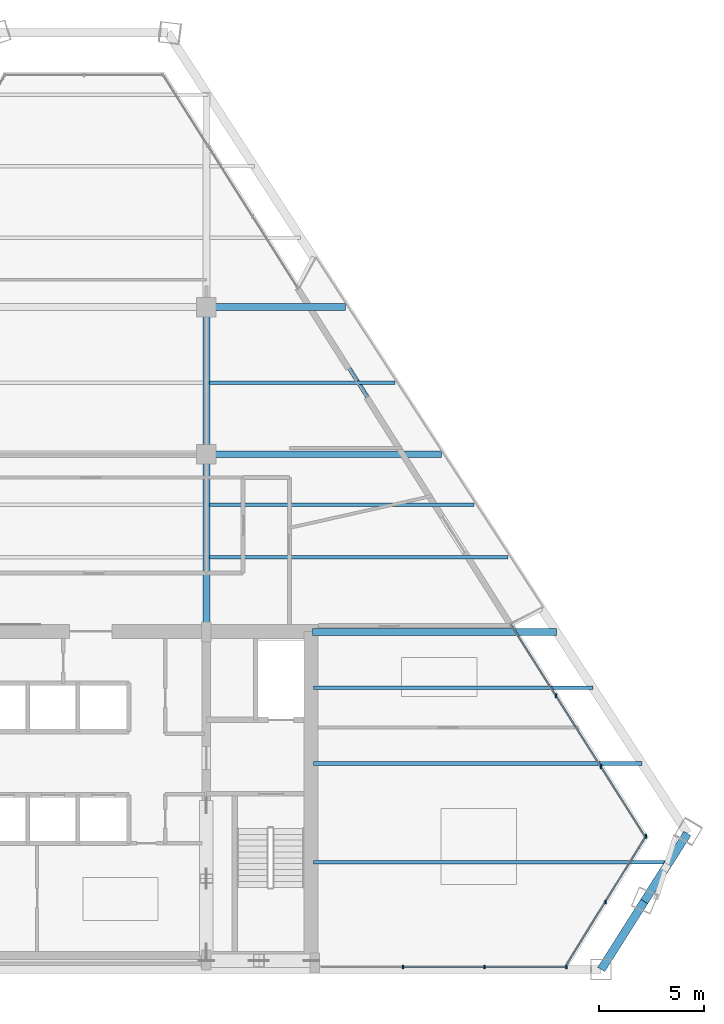
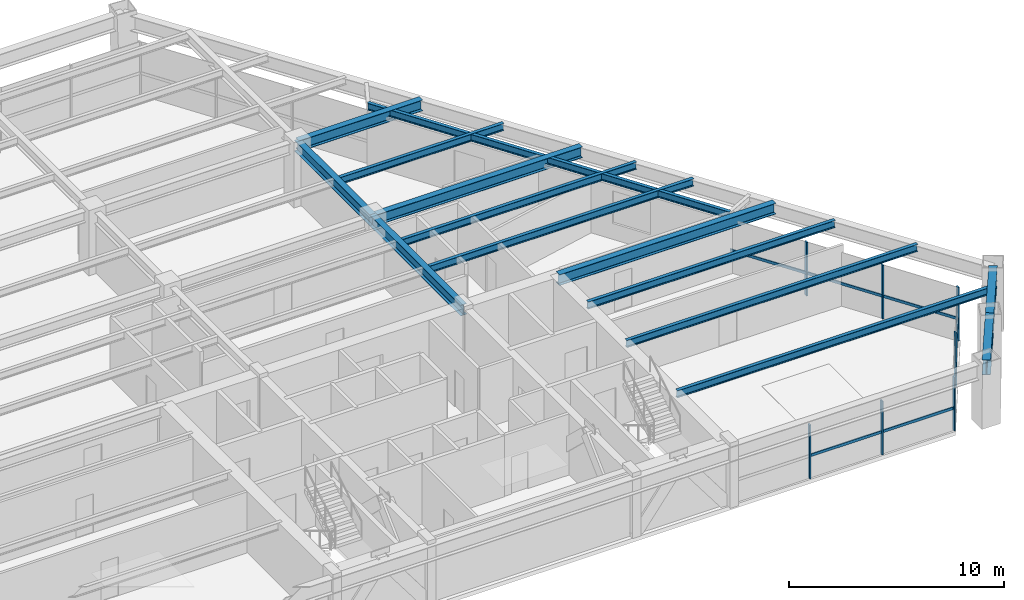
# One storey, part 6 of 15: 14 beams, 14 members, 3 elements without a shape of their own.
"""IFC4 building model written with IfcOpenShell, lengths in metres."""

from ifc_helpers import new_model, si_unit, direction, frame, origin, origin_2d, place, context, subcontext, project, spatial, rectangle, i_section, extrude, source, transform, mapped, material, material_profile, profile_set, type_object, type_shapes, element, aggregate, save


model = new_model("IFC4")

# Units and contexts
model_context = context("Model", 3, precision=1e-05, world=origin(), true_north=direction((0.0, 1.0)))
body_context = subcontext(model_context, "Body", "Model", "MODEL_VIEW")
ifc_project = project(units=[si_unit("LENGTHUNIT", "METRE"), si_unit("AREAUNIT", "SQUARE_METRE"), si_unit("VOLUMEUNIT", "CUBIC_METRE"), si_unit("PLANEANGLEUNIT", "RADIAN"), si_unit("MASSUNIT", "GRAM", prefix="KILO")], contexts=[model_context])

# Site, building, storey
site_placement = place(None, origin())
site = spatial("IfcSite", under=ifc_project, at=site_placement, CompositionType="ELEMENT")
building_placement = place(site_placement, origin())
building = spatial("IfcBuilding", under=site, at=building_placement, Name="Varnakhor Terracotta Tower", CompositionType="ELEMENT")
storey_placement = place(building_placement, frame((0.0, 0.0, 189.5)))
storey = spatial("IfcBuildingStorey", under=building, at=storey_placement, Name="L48", CompositionType="ELEMENT", Elevation=189.5)

# Beams
ifc_material_1 = material(Name="Steel S355", Category="steel")
ifc_material_profile_1 = material_profile(ifc_material_1, i_section(OverallWidth=0.324951171875, OverallDepth=0.615966796875, WebThickness=0.013916015625, FlangeThickness=0.02197265625, FilletRadius=0.01806640625, at=origin_2d()), Name="W24X117")
ifc_profile_set_1 = profile_set([ifc_material_profile_1], Name="Steel S355")
beam_type_1 = type_object("IfcBeamType", Name="BM-W24X117", PredefinedType="BEAM", material=ifc_profile_set_1)
shared_shape_1 = source(origin(), body_context, "Body", "SweptSolid", [
    extrude(i_section(OverallWidth=0.324951171875, OverallDepth=0.615966796875, WebThickness=0.013916015625, FlangeThickness=0.02197265625, FilletRadius=0.01806640625, at=origin_2d()), origin(), (0.0, 0.0, 1.0), 8.449951171875),
])
type_shapes(beam_type_1, [shared_shape_1])
beam_1_placement = place(storey_placement, frame((5.5, 16.050048828125, 3.162109375), z_axis=(0.0, 1.0, 0.0), x_axis=(-1.0, 0.0, 0.0)))
element("IfcBeam", 1, at=beam_1_placement, inside=storey, type_object=beam_type_1, Name="L48 Primary Girder NS1-E", PredefinedType="BEAM", context=body_context, shape_type="MappedRepresentation", body=[
    mapped(shared_shape_1, transform((0.0, 0.0, 0.0), scale=1.0)),
])
shared_shape_2 = source(origin(), body_context, "Body", "SweptSolid", [
    extrude(i_section(OverallWidth=0.324951171875, OverallDepth=0.615966796875, WebThickness=0.013916015625, FlangeThickness=0.02197265625, FilletRadius=0.01806640625, at=origin_2d()), origin(), (0.0, 0.0, 1.0), 7.0),
])
beam_2_placement = place(storey_placement, frame((5.5, 24.5, 3.162109375), z_axis=(0.0, 1.0, 0.0), x_axis=(-1.0, 0.0, 0.0)))
element("IfcBeam", 2, at=beam_2_placement, inside=storey, type_object=beam_type_1, Name="L48 Primary Girder NS2-E", PredefinedType="BEAM", context=body_context, shape_type="MappedRepresentation", body=[
    mapped(shared_shape_2, transform((0.0, 0.0, 0.0), scale=1.0)),
])
ifc_material_profile_2 = material_profile(ifc_material_1, i_section(OverallWidth=0.39990234375, OverallDepth=0.85498046875, WebThickness=0.01806640625, FlangeThickness=0.029052734375, FilletRadius=0.01806640625, at=origin_2d()), Name="W33X201")
ifc_profile_set_2 = profile_set([ifc_material_profile_2], Name="Steel S355")
beam_type_2 = type_object("IfcBeamType", Name="BM-W33X201", PredefinedType="BEAM", material=ifc_profile_set_2)
shared_shape_3 = source(origin(), body_context, "Body", "SweptSolid", [
    extrude(i_section(OverallWidth=0.39990234375, OverallDepth=0.85498046875, WebThickness=0.01806640625, FlangeThickness=0.029052734375, FilletRadius=0.01806640625, at=origin_2d()), origin(), (0.0, 0.0, 1.0), 3.8291015625),
])
for number, where, z_axis, x_axis, name in (
    (3, (24.276123046875, 0.0, 3.04248046875), (0.534992923016, 0.844856539492, 0.0), (-0.844856539492, 0.534992923016, 0.0), "L48 Perimeter Spandrel 2"),
    (4, (26.32470703125, 3.235107421875, 3.04248046875), (0.534947411377, 0.844885357348, 0.0), (-0.844885357348, 0.534947411377, 0.0), "L48 Perimeter Spandrel 3"),
):
    element("IfcBeam", number, at=place(storey_placement, frame(where, z_axis=z_axis, x_axis=x_axis)), inside=storey, type_object=beam_type_2, Name=name, PredefinedType="BEAM", context=body_context, shape_type="MappedRepresentation", body=[
        mapped(shared_shape_3, transform((0.0, 0.0, 0.0), scale=1.0)),
    ])
ifc_material_profile_3 = material_profile(ifc_material_1, i_section(OverallWidth=0.179931640625, OverallDepth=0.39990234375, WebThickness=0.008544921875, FlangeThickness=0.013427734375, FilletRadius=0.01806640625, at=origin_2d()), Name="IPE400")
ifc_profile_set_3 = profile_set([ifc_material_profile_3], Name="Steel S355")
beam_type_3 = type_object("IfcBeamType", Name="JST-IPE400", PredefinedType="JOIST", material=ifc_profile_set_3)
shared_shape_4 = source(origin(), body_context, "Body", "SweptSolid", [
    extrude(i_section(OverallWidth=0.179931640625, OverallDepth=0.39990234375, WebThickness=0.008544921875, FlangeThickness=0.013427734375, FilletRadius=0.01806640625, at=origin_2d()), origin(), (0.0, 0.0, 1.0), 18.987060546875),
])
beam_3_placement = place(storey_placement, frame((19.994140625, 16.40771484375, 3.27001953125), z_axis=(-0.534579680482, 0.845118077676, 0.0), x_axis=(-0.845118077676, -0.534579680482, 0.0)))
element("IfcBeam", 5, at=beam_3_placement, inside=storey, type_object=beam_type_3, Name="L48 Loggia Edge Beam 1", PredefinedType="JOIST", context=body_context, shape_type="MappedRepresentation", body=[
    mapped(shared_shape_4, transform((0.0, 0.0, 0.0), scale=1.0)),
])
shared_shape_5 = source(origin(), body_context, "Body", "SweptSolid", [
    extrude(i_section(OverallWidth=0.324951171875, OverallDepth=0.615966796875, WebThickness=0.013916015625, FlangeThickness=0.02197265625, FilletRadius=0.01806640625, at=origin_2d()), origin(), (0.0, 0.0, 1.0), 11.60498046875),
])
beam_4_placement = place(storey_placement, frame((10.550048828125, 16.050048828125, 3.162109375), z_axis=(1.0, 0.0, 0.0), x_axis=(0.0, 1.0, 0.0)))
element("IfcBeam", 6, at=beam_4_placement, inside=storey, type_object=beam_type_1, Name="L48 Wing Girder E", PredefinedType="BEAM", context=body_context, shape_type="MappedRepresentation", body=[
    mapped(shared_shape_5, transform((0.0, 0.0, 0.0), scale=1.0)),
])
shared_shape_6 = source(origin(), body_context, "Body", "SweptSolid", [
    extrude(i_section(OverallWidth=0.324951171875, OverallDepth=0.615966796875, WebThickness=0.013916015625, FlangeThickness=0.02197265625, FilletRadius=0.01806640625, at=origin_2d()), origin(), (0.0, 0.0, 1.0), 11.17041015625),
])
beam_5_placement = place(storey_placement, frame((5.5, 24.5, 3.162109375), z_axis=(1.0, 0.0, 0.0), x_axis=(0.0, 1.0, 0.0)))
element("IfcBeam", 7, at=beam_5_placement, inside=storey, type_object=beam_type_1, Name="L48 Primary Girder EW2-3", PredefinedType="BEAM", context=body_context, shape_type="MappedRepresentation", body=[
    mapped(shared_shape_6, transform((0.0, 0.0, 0.0), scale=1.0)),
])
shared_shape_7 = source(origin(), body_context, "Body", "SweptSolid", [
    extrude(i_section(OverallWidth=0.324951171875, OverallDepth=0.615966796875, WebThickness=0.013916015625, FlangeThickness=0.02197265625, FilletRadius=0.01806640625, at=origin_2d()), origin(), (0.0, 0.0, 1.0), 6.626708984375),
])
beam_6_placement = place(storey_placement, frame((5.5, 31.5, 3.162109375), z_axis=(1.0, 0.0, 0.0), x_axis=(0.0, 1.0, 0.0)))
element("IfcBeam", 8, at=beam_6_placement, inside=storey, type_object=beam_type_1, Name="L48 Primary Girder EW3-3", PredefinedType="BEAM", context=body_context, shape_type="MappedRepresentation", body=[
    mapped(shared_shape_7, transform((0.0, 0.0, 0.0), scale=1.0)),
])
ifc_material_profile_4 = material_profile(ifc_material_1, i_section(OverallWidth=0.179931640625, OverallDepth=0.4130859375, WebThickness=0.009765625, FlangeThickness=0.01611328125, FilletRadius=0.01806640625, at=origin_2d()), Name="W16X50")
ifc_profile_set_4 = profile_set([ifc_material_profile_4], Name="Steel S355")
beam_type_4 = type_object("IfcBeamType", Name="JST-W16X50", PredefinedType="JOIST", material=ifc_profile_set_4)
shared_shape_8 = source(origin(), body_context, "Body", "SweptSolid", [
    extrude(i_section(OverallWidth=0.179931640625, OverallDepth=0.4130859375, WebThickness=0.009765625, FlangeThickness=0.01611328125, FilletRadius=0.01806640625, at=origin_2d()), origin(), (0.0, 0.0, 1.0), 16.9052734375),
])
beam_7_placement = place(storey_placement, frame((10.60009765625, 5.10009765625, 3.263427734375), z_axis=(1.0, 0.0, 0.0), x_axis=(0.0, 1.0, 0.0)))
element("IfcBeam", 9, at=beam_7_placement, inside=storey, type_object=beam_type_4, Name="L48 Floor Joist E1", PredefinedType="JOIST", context=body_context, shape_type="MappedRepresentation", body=[
    mapped(shared_shape_8, transform((0.0, 0.0, 0.0), scale=1.0)),
])
shared_shape_9 = source(origin(), body_context, "Body", "SweptSolid", [
    extrude(i_section(OverallWidth=0.179931640625, OverallDepth=0.4130859375, WebThickness=0.009765625, FlangeThickness=0.01611328125, FilletRadius=0.01806640625, at=origin_2d()), origin(), (0.0, 0.0, 1.0), 15.61181640625),
])
beam_8_placement = place(storey_placement, frame((10.60009765625, 9.800048828125, 3.263427734375), z_axis=(1.0, 0.0, 0.0), x_axis=(0.0, 1.0, 0.0)))
element("IfcBeam", 10, at=beam_8_placement, inside=storey, type_object=beam_type_4, Name="L48 Floor Joist E2", PredefinedType="JOIST", context=body_context, shape_type="MappedRepresentation", body=[
    mapped(shared_shape_9, transform((0.0, 0.0, 0.0), scale=1.0)),
])
shared_shape_10 = source(origin(), body_context, "Body", "SweptSolid", [
    extrude(i_section(OverallWidth=0.179931640625, OverallDepth=0.4130859375, WebThickness=0.009765625, FlangeThickness=0.01611328125, FilletRadius=0.01806640625, at=origin_2d()), origin(), (0.0, 0.0, 1.0), 13.275146484375),
])
beam_9_placement = place(storey_placement, frame((10.60009765625, 13.39990234375, 3.263427734375), z_axis=(1.0, 0.0, 0.0), x_axis=(0.0, 1.0, 0.0)))
element("IfcBeam", 11, at=beam_9_placement, inside=storey, type_object=beam_type_4, Name="L48 Floor Joist E3", PredefinedType="JOIST", context=body_context, shape_type="MappedRepresentation", body=[
    mapped(shared_shape_10, transform((0.0, 0.0, 0.0), scale=1.0)),
])
shared_shape_11 = source(origin(), body_context, "Body", "SweptSolid", [
    extrude(i_section(OverallWidth=0.179931640625, OverallDepth=0.4130859375, WebThickness=0.009765625, FlangeThickness=0.01611328125, FilletRadius=0.01806640625, at=origin_2d()), origin(), (0.0, 0.0, 1.0), 14.1923828125),
])
beam_10_placement = place(storey_placement, frame((5.658447265625, 19.60009765625, 3.263427734375), z_axis=(1.0, 0.0, 0.0), x_axis=(0.0, 1.0, 0.0)))
element("IfcBeam", 12, at=beam_10_placement, inside=storey, type_object=beam_type_4, Name="L48 Composite Floor Joist 4-3", PredefinedType="JOIST", context=body_context, shape_type="MappedRepresentation", body=[
    mapped(shared_shape_11, transform((0.0, 0.0, 0.0), scale=1.0)),
])
shared_shape_12 = source(origin(), body_context, "Body", "SweptSolid", [
    extrude(i_section(OverallWidth=0.179931640625, OverallDepth=0.4130859375, WebThickness=0.009765625, FlangeThickness=0.01611328125, FilletRadius=0.01806640625, at=origin_2d()), origin(), (0.0, 0.0, 1.0), 12.56982421875),
])
beam_11_placement = place(storey_placement, frame((5.658447265625, 22.10009765625, 3.263427734375), z_axis=(1.0, 0.0, 0.0), x_axis=(0.0, 1.0, 0.0)))
element("IfcBeam", 13, at=beam_11_placement, inside=storey, type_object=beam_type_4, Name="L48 Composite Floor Joist 5-3", PredefinedType="JOIST", context=body_context, shape_type="MappedRepresentation", body=[
    mapped(shared_shape_12, transform((0.0, 0.0, 0.0), scale=1.0)),
])
shared_shape_13 = source(origin(), body_context, "Body", "SweptSolid", [
    extrude(i_section(OverallWidth=0.179931640625, OverallDepth=0.4130859375, WebThickness=0.009765625, FlangeThickness=0.01611328125, FilletRadius=0.01806640625, at=origin_2d()), origin(), (0.0, 0.0, 1.0), 8.804931640625),
])
beam_12_placement = place(storey_placement, frame((5.658447265625, 27.89990234375, 3.263427734375), z_axis=(1.0, 0.0, 0.0), x_axis=(0.0, 1.0, 0.0)))
element("IfcBeam", 14, at=beam_12_placement, inside=storey, type_object=beam_type_4, Name="L48 Composite Floor Joist 6-3", PredefinedType="JOIST", context=body_context, shape_type="MappedRepresentation", body=[
    mapped(shared_shape_13, transform((0.0, 0.0, 0.0), scale=1.0)),
])

# Curtain wall, members
ifc_material_2 = material(Name="Anodised Aluminium Curtain Wall System", Category="aluminium")
curtain_wall_type = type_object("IfcCurtainWallType", Name="CW-SYS-MID-OFFICE", PredefinedType="NOTDEFINED", material=ifc_material_2)
curtain_wall_1_placement = place(storey_placement, origin())
curtain_wall_1 = element("IfcCurtainWall", 15, at=curtain_wall_1_placement, inside=storey, type_object=curtain_wall_type, Name="L48 E Facet Curtain Wall 2", PredefinedType="NOTDEFINED")
ifc_material_3 = material(Name="Anodised Aluminium 6063-T6", Category="aluminium")
ifc_material_profile_5 = material_profile(ifc_material_3, rectangle(XDim=0.070068359375, YDim=0.175048828125, at=origin_2d()), Name="ALU MULLION 70x175")
ifc_profile_set_5 = profile_set([ifc_material_profile_5], Name="Anodised Aluminium 6063-T6")
member_type_1 = type_object("IfcMemberType", Name="CWM-03", PredefinedType="MULLION", material=ifc_profile_set_5)
shared_shape_14 = source(origin(), body_context, "Body", "SweptSolid", [
    extrude(rectangle(XDim=0.070068359375, YDim=0.175048828125, at=origin_2d()), origin(), (0.0, 0.0, 1.0), 3.050048828125),
])
member_1_placement = place(storey_placement, frame((22.12939453125, 13.013916015625, 0.0), z_axis=(0.0, 0.0, 1.0), x_axis=(1.0, 0.0, 0.0)))
member_1 = element("IfcMember", 16, at=member_1_placement, type_object=member_type_1, Name="L48 E Facet Curtain Wall 2 Mullion 2", PredefinedType="MULLION", context=body_context, shape_type="MappedRepresentation", body=[
    mapped(shared_shape_14, transform((0.0, 0.0, 0.0), scale=1.0)),
])
member_2_placement = place(storey_placement, frame((24.2666015625, 9.6376953125, 0.0), z_axis=(0.0, 0.0, 1.0), x_axis=(1.0, 0.0, 0.0)))
member_2 = element("IfcMember", 17, at=member_2_placement, type_object=member_type_1, Name="L48 E Facet Curtain Wall 2 Mullion 3", PredefinedType="MULLION", context=body_context, shape_type="MappedRepresentation", body=[
    mapped(shared_shape_14, transform((0.0, 0.0, 0.0), scale=1.0)),
])

curtain_wall_2_placement = place(storey_placement, origin())
curtain_wall_2 = element("IfcCurtainWall", 18, at=curtain_wall_2_placement, inside=storey, type_object=curtain_wall_type, Name="L48 Facet Curtain Wall 4", PredefinedType="NOTDEFINED")
member_3_placement = place(storey_placement, frame((26.403564453125, 6.337890625, 0.0), z_axis=(0.0, 0.0, 1.0), x_axis=(1.0, 0.0, 0.0)))
member_3 = element("IfcMember", 19, at=member_3_placement, type_object=member_type_1, Name="L48 Facet Curtain Wall 4 Mullion 1", PredefinedType="MULLION", context=body_context, shape_type="MappedRepresentation", body=[
    mapped(shared_shape_14, transform((0.0, 0.0, 0.0), scale=1.0)),
])
member_4_placement = place(storey_placement, frame((24.4716796875, 3.21337890625, 0.0), z_axis=(0.0, 0.0, 1.0), x_axis=(1.0, 0.0, 0.0)))
member_4 = element("IfcMember", 20, at=member_4_placement, type_object=member_type_1, Name="L48 Facet Curtain Wall 4 Mullion 2", PredefinedType="MULLION", context=body_context, shape_type="MappedRepresentation", body=[
    mapped(shared_shape_14, transform((0.0, 0.0, 0.0), scale=1.0)),
])

curtain_wall_3_placement = place(storey_placement, origin())
curtain_wall_3 = element("IfcCurtainWall", 21, at=curtain_wall_3_placement, inside=storey, type_object=curtain_wall_type, Name="L48 South Wing Curtain Wall SSE", PredefinedType="NOTDEFINED")
member_5_placement = place(storey_placement, frame((22.615966796875, 0.1201171875, 0.0), z_axis=(0.0, 0.0, 1.0), x_axis=(1.0, 0.0, 0.0)))
member_5 = element("IfcMember", 22, at=member_5_placement, type_object=member_type_1, Name="L48 South Wing Curtain Wall SSE Mullion 1", PredefinedType="MULLION", context=body_context, shape_type="MappedRepresentation", body=[
    mapped(shared_shape_14, transform((0.0, 0.0, 0.0), scale=1.0)),
])
member_6_placement = place(storey_placement, frame((18.73388671875, 0.1201171875, 0.0), z_axis=(0.0, 0.0, 1.0), x_axis=(1.0, 0.0, 0.0)))
member_6 = element("IfcMember", 23, at=member_6_placement, type_object=member_type_1, Name="L48 South Wing Curtain Wall SSE Mullion 2", PredefinedType="MULLION", context=body_context, shape_type="MappedRepresentation", body=[
    mapped(shared_shape_14, transform((0.0, 0.0, 0.0), scale=1.0)),
])
member_7_placement = place(storey_placement, frame((14.85205078125, 0.1201171875, 0.0), z_axis=(0.0, 0.0, 1.0), x_axis=(1.0, 0.0, 0.0)))
member_7 = element("IfcMember", 24, at=member_7_placement, type_object=member_type_1, Name="L48 South Wing Curtain Wall SSE Mullion 3", PredefinedType="MULLION", context=body_context, shape_type="MappedRepresentation", body=[
    mapped(shared_shape_14, transform((0.0, 0.0, 0.0), scale=1.0)),
])
ifc_material_profile_6 = material_profile(ifc_material_3, rectangle(XDim=0.070068359375, YDim=0.155029296875, at=origin_2d()), Name="ALU TRANSOM 70x155")
ifc_profile_set_6 = profile_set([ifc_material_profile_6], Name="Anodised Aluminium 6063-T6")
member_type_2 = type_object("IfcMemberType", Name="CWT-03", PredefinedType="USERDEFINED", material=ifc_profile_set_6)
shared_shape_15 = source(origin(), body_context, "Body", "SweptSolid", [
    extrude(rectangle(XDim=0.070068359375, YDim=0.155029296875, at=origin_2d()), origin(), (0.0, 0.0, 1.0), 3.882080078125),
])
member_8_placement = place(storey_placement, frame((22.615966796875, 0.1201171875, 1.281005859375), z_axis=(-1.0, 0.0, 0.0), x_axis=(0.0, -1.0, 0.0)))
member_8 = element("IfcMember", 25, at=member_8_placement, type_object=member_type_2, Name="L48 South Wing Curtain Wall SSE Transom 1", ObjectType="TRANSOM", PredefinedType="USERDEFINED", context=body_context, shape_type="MappedRepresentation", body=[
    mapped(shared_shape_15, transform((0.0, 0.0, 0.0), scale=1.0)),
])

# Member
shared_shape_16 = source(origin(), body_context, "Body", "SweptSolid", [
    extrude(rectangle(XDim=0.070068359375, YDim=0.155029296875, at=origin_2d()), origin(), (0.0, 0.0, 1.0), 3.995849609375),
])
member_9_placement = place(storey_placement, frame((19.9921875, 16.39013671875, 1.281005859375), z_axis=(0.534861647673, -0.844939653377, 0.0), x_axis=(0.844939653377, 0.534861647673, 0.0)))
member_9 = element("IfcMember", 26, at=member_9_placement, type_object=member_type_2, Name="L48 E Facet Curtain Wall 2 Transom 1", ObjectType="TRANSOM", PredefinedType="USERDEFINED", context=body_context, shape_type="MappedRepresentation", body=[
    mapped(shared_shape_16, transform((0.0, 0.0, 0.0), scale=1.0)),
])

member_10_placement = place(storey_placement, frame((22.12939453125, 13.013916015625, 1.281005859375), z_axis=(0.534861647673, -0.844939653377, 0.0), x_axis=(0.844939653377, 0.534861647673, 0.0)))
member_10 = element("IfcMember", 27, at=member_10_placement, type_object=member_type_2, Name="L48 E Facet Curtain Wall 2 Transom 2", ObjectType="TRANSOM", PredefinedType="USERDEFINED", context=body_context, shape_type="MappedRepresentation", body=[
    mapped(shared_shape_16, transform((0.0, 0.0, 0.0), scale=1.0)),
])

member_11_placement = place(storey_placement, frame((24.2666015625, 9.6376953125, 1.281005859375), z_axis=(0.534905265598, -0.844912040887, 0.0), x_axis=(0.844912040887, 0.534905265598, 0.0)))
member_11 = element("IfcMember", 28, at=member_11_placement, type_object=member_type_2, Name="L48 E Facet Curtain Wall 2 Transom 3", ObjectType="TRANSOM", PredefinedType="USERDEFINED", context=body_context, shape_type="MappedRepresentation", body=[
    mapped(shared_shape_16, transform((0.0, 0.0, 0.0), scale=1.0)),
])

aggregate(curtain_wall_1, [member_9, member_1, member_10, member_2, member_11])

shared_shape_17 = source(origin(), body_context, "Body", "SweptSolid", [
    extrude(rectangle(XDim=0.070068359375, YDim=0.155029296875, at=origin_2d()), origin(), (0.0, 0.0, 1.0), 3.673583984375),
])
member_12_placement = place(storey_placement, frame((26.403564453125, 6.337890625, 1.281005859375), z_axis=(-0.525894659122, -0.850549709016, 0.0), x_axis=(0.850549709016, -0.525894659122, 0.0)))
member_12 = element("IfcMember", 29, at=member_12_placement, type_object=member_type_2, Name="L48 Facet Curtain Wall 4 Transom 1", ObjectType="TRANSOM", PredefinedType="USERDEFINED", context=body_context, shape_type="MappedRepresentation", body=[
    mapped(shared_shape_17, transform((0.0, 0.0, 0.0), scale=1.0)),
])

shared_shape_18 = source(origin(), body_context, "Body", "SweptSolid", [
    extrude(rectangle(XDim=0.070068359375, YDim=0.155029296875, at=origin_2d()), origin(), (0.0, 0.0, 1.0), 3.673828125),
])
member_13_placement = place(storey_placement, frame((24.4716796875, 3.21337890625, 1.281005859375), z_axis=(-0.525864933141, -0.850568087864, 0.0), x_axis=(0.850568087864, -0.525864933141, 0.0)))
member_13 = element("IfcMember", 30, at=member_13_placement, type_object=member_type_2, Name="L48 Facet Curtain Wall 4 Transom 2", ObjectType="TRANSOM", PredefinedType="USERDEFINED", context=body_context, shape_type="MappedRepresentation", body=[
    mapped(shared_shape_18, transform((0.0, 0.0, 0.0), scale=1.0)),
])

aggregate(curtain_wall_2, [member_3, member_12, member_4, member_13])

shared_shape_19 = source(origin(), body_context, "Body", "SweptSolid", [
    extrude(rectangle(XDim=0.070068359375, YDim=0.155029296875, at=origin_2d()), origin(), (0.0, 0.0, 1.0), 3.8818359375),
])
member_14_placement = place(storey_placement, frame((18.73388671875, 0.1201171875, 1.281005859375), z_axis=(-1.0, 0.0, 0.0), x_axis=(0.0, -1.0, 0.0)))
member_14 = element("IfcMember", 31, at=member_14_placement, type_object=member_type_2, Name="L48 South Wing Curtain Wall SSE Transom 2", ObjectType="TRANSOM", PredefinedType="USERDEFINED", context=body_context, shape_type="MappedRepresentation", body=[
    mapped(shared_shape_19, transform((0.0, 0.0, 0.0), scale=1.0)),
])

aggregate(curtain_wall_3, [member_5, member_8, member_6, member_14, member_7])

save(model, "model.ifc")
